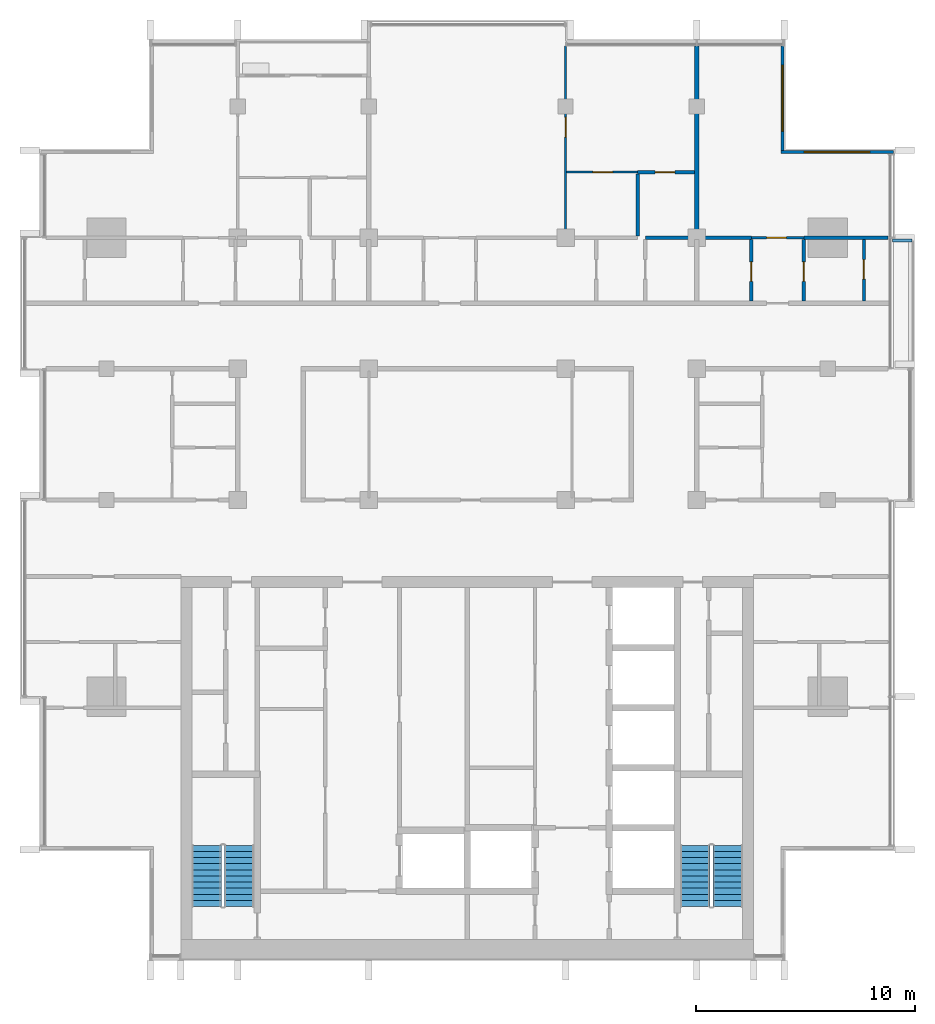
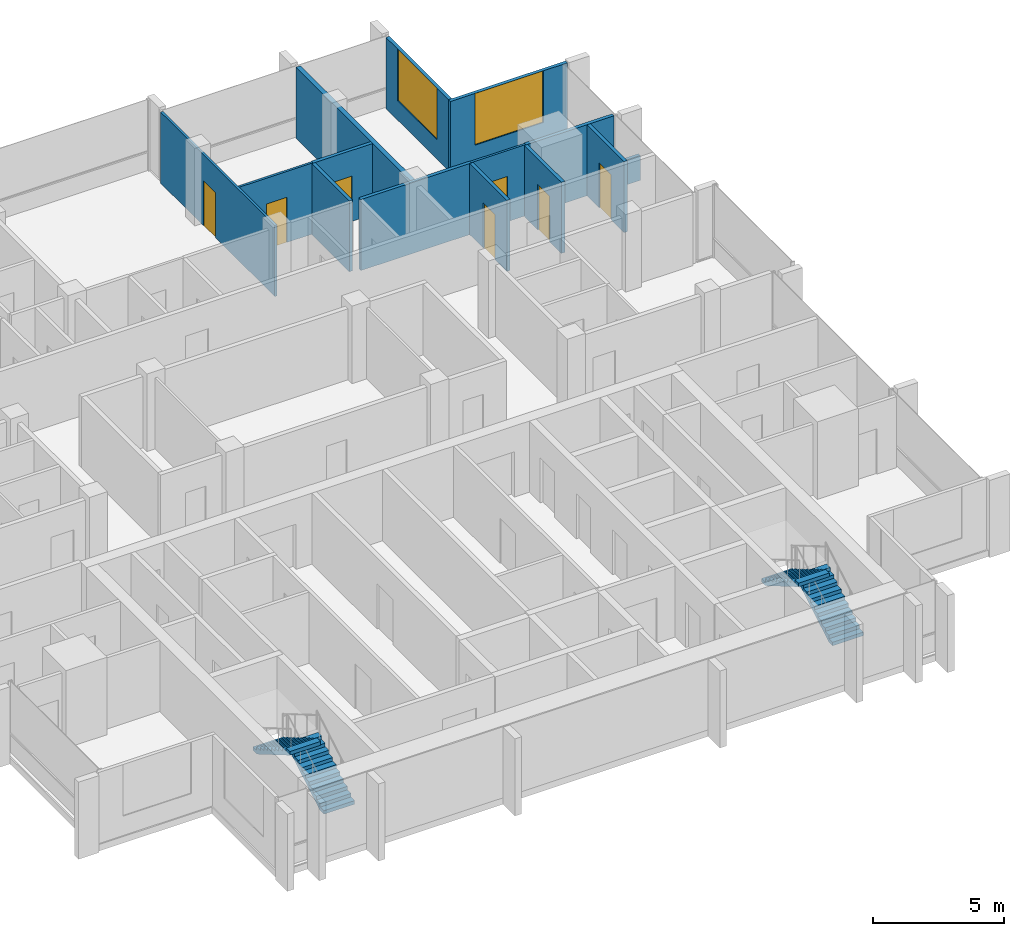
# One storey, part 11 of 16: 14 walls, 7 doors, 4 stair flights, 2 windows, 9 openings, 2 elements without a shape of their own.
"""IFC4 building model written with IfcOpenShell, lengths in metres."""

from ifc_helpers import new_model, si_unit, direction, frame, frame_2d, origin, place, context, subcontext, project, spatial, polyline, rectangle, outline, extrude, material, layer, layer_set, type_object, element, fill, aggregate, save


model = new_model("IFC4")

# Units and contexts
model_context = context("Model", 3, precision=1e-05, world=origin(), true_north=direction((0.0, 1.0)))
body_context = subcontext(model_context, "Body", "Model", "MODEL_VIEW")
ifc_project = project(units=[si_unit("LENGTHUNIT", "METRE"), si_unit("AREAUNIT", "SQUARE_METRE"), si_unit("VOLUMEUNIT", "CUBIC_METRE"), si_unit("PLANEANGLEUNIT", "RADIAN"), si_unit("MASSUNIT", "GRAM", prefix="KILO")], contexts=[model_context])

# Site, building, storey
site_placement = place(None, origin())
site = spatial("IfcSite", under=ifc_project, at=site_placement, CompositionType="ELEMENT")
building_placement = place(site_placement, origin())
building = spatial("IfcBuilding", under=site, at=building_placement, Name="Finial Court Residences", CompositionType="ELEMENT")
storey_placement = place(building_placement, frame((0.0, 0.0, 291.5)))
storey = spatial("IfcBuildingStorey", under=building, at=storey_placement, Name="L74", CompositionType="ELEMENT", Elevation=291.5)

# Wall
ifc_material_1 = material(Name="Gypsum board")
ifc_layer_1 = layer(ifc_material_1, 0.02490234375)
ifc_material_2 = material(Name="Acoustic mineral wool in double frame")
ifc_layer_2 = layer(ifc_material_2, 0.14990234375)
ifc_layer_3 = layer(ifc_material_1, 0.02490234375)
ifc_layer_set_1 = layer_set([ifc_layer_1, ifc_layer_2, ifc_layer_3], Name="Acoustic party wall 200, 1 hour")
wall_type_1 = type_object("IfcWallType", Name="Acoustic party wall 200, 1 hour", PredefinedType="PARTITIONING", material=ifc_layer_set_1)
wall_1_placement = place(storey_placement, frame((10.5, 7.574951171875, 0.0), z_axis=(0.0, 0.0, 1.0), x_axis=(0.0, 1.0, 0.0)))
element("IfcWall", 1, at=wall_1_placement, inside=storey, type_object=wall_type_1, Name="Partition L74-055", PredefinedType="PARTITIONING", context=body_context, shape_type="SweptSolid", body=[
    extrude(rectangle(XDim=8.6875, YDim=0.199951171875, at=frame_2d((4.34375, 0.0))), origin(), (0.0, 0.0, 1.0), 3.300048828125),
])

# Wall, opening, door
ifc_layer_4 = layer(ifc_material_1, 0.012451171875)
ifc_material_3 = material(Name="Mineral wool in light-gauge frame")
ifc_layer_5 = layer(ifc_material_3, 0.074951171875)
ifc_layer_6 = layer(ifc_material_1, 0.012451171875)
ifc_layer_set_2 = layer_set([ifc_layer_4, ifc_layer_5, ifc_layer_6], Name="Gypsum board partition 100")
wall_type_2 = type_object("IfcWallType", Name="Gypsum board partition 100", PredefinedType="PARTITIONING", material=ifc_layer_set_2)
wall_2_placement = place(storey_placement, frame((13.0, 7.5, 0.0), z_axis=(0.0, 0.0, 1.0), x_axis=(1.0, 0.0, 0.0)))
wall_2 = element("IfcWall", 2, at=wall_2_placement, inside=storey, type_object=wall_type_2, Name="Partition L74-019", PredefinedType="PARTITIONING", context=body_context, shape_type="SweptSolid", body=[
    extrude(rectangle(XDim=2.39990234375, YDim=0.10009765625, at=frame_2d((1.199951171875, 0.0))), origin(), (0.0, 0.0, 1.0), 3.300048828125),
])
opening_1_placement = place(wall_2_placement, frame((0.699951171875, 0.0, 0.0)))
opening_1 = element("IfcOpeningElement", 3, at=opening_1_placement, cuts=wall_2, Name="Opening L74-D021", PredefinedType="OPENING", context=body_context, shape_type="SweptSolid", body=[
    extrude(rectangle(XDim=0.89990234375, YDim=2.10009765625, at=frame_2d((0.449951171875, 1.050048828125))), frame((0.0, 0.06005859375, 0.0), z_axis=(0.0, -1.0, 0.0), x_axis=(1.0, 0.0, 0.0)), (0.0, 0.0, 1.0), 0.1201171875),
])
ifc_material_4 = material(Name="Timber door leaf in timber frame", Category="wood")
door_type = type_object("IfcDoorType", Name="Door set 900 x 2100", OperationType="SINGLE_SWING_LEFT", PredefinedType="DOOR", material=ifc_material_4)
door_1_placement = place(opening_1_placement, origin())
door_1 = element("IfcDoor", 4, at=door_1_placement, inside=storey, type_object=door_type, Name="Door L74-D021", OperationType="SINGLE_SWING_RIGHT", OverallHeight=2.10009765625, OverallWidth=0.89990234375, PredefinedType="DOOR", context=body_context, shape_type="SweptSolid", body=[
    extrude(rectangle(XDim=0.89990234375, YDim=2.10009765625, at=frame_2d((0.449951171875, 1.050048828125))), frame((0.0, 0.02490234375, 0.0), z_axis=(0.0, -1.0, 0.0), x_axis=(1.0, 0.0, 0.0)), (0.0, 0.0, 1.0), 0.050048828125),
])
fill(opening_1, door_1)

wall_3_placement = place(storey_placement, frame((4.550048828125, 10.5, 0.0), z_axis=(0.0, 0.0, 1.0), x_axis=(1.0, 0.0, 0.0)))
wall_3 = element("IfcWall", 5, at=wall_3_placement, inside=storey, type_object=wall_type_2, Name="Partition L74-028", PredefinedType="PARTITIONING", context=body_context, shape_type="SweptSolid", body=[
    extrude(rectangle(XDim=3.25, YDim=0.10009765625, at=frame_2d((1.625, 0.0))), origin(), (0.0, 0.0, 1.0), 3.300048828125),
])
opening_2_placement = place(wall_3_placement, frame((1.199951171875, 0.0, 0.0)))
opening_2 = element("IfcOpeningElement", 6, at=opening_2_placement, cuts=wall_3, Name="Opening L74-D024", PredefinedType="OPENING", context=body_context, shape_type="SweptSolid", body=[
    extrude(rectangle(XDim=0.89990234375, YDim=2.10009765625, at=frame_2d((0.449951171875, 1.050048828125))), frame((0.0, 0.06005859375, 0.0), z_axis=(0.0, -1.0, 0.0), x_axis=(1.0, 0.0, 0.0)), (0.0, 0.0, 1.0), 0.1201171875),
])
door_2_placement = place(opening_2_placement, origin())
door_2 = element("IfcDoor", 7, at=door_2_placement, inside=storey, type_object=door_type, Name="Door L74-D024", OperationType="SINGLE_SWING_LEFT", OverallHeight=2.10009765625, OverallWidth=0.89990234375, PredefinedType="DOOR", context=body_context, shape_type="SweptSolid", body=[
    extrude(rectangle(XDim=0.89990234375, YDim=2.10009765625, at=frame_2d((0.449951171875, 1.050048828125))), frame((0.0, 0.02490234375, 0.0), z_axis=(0.0, -1.0, 0.0), x_axis=(1.0, 0.0, 0.0)), (0.0, 0.0, 1.0), 0.050048828125),
])
fill(opening_2, door_2)

wall_4_placement = place(storey_placement, frame((4.5, 7.574951171875, 0.0), z_axis=(0.0, 0.0, 1.0), x_axis=(0.0, 1.0, 0.0)))
wall_4 = element("IfcWall", 8, at=wall_4_placement, inside=storey, type_object=wall_type_2, Name="Partition L74-047", PredefinedType="PARTITIONING", context=body_context, shape_type="SweptSolid", body=[
    extrude(rectangle(XDim=8.6875, YDim=0.10009765625, at=frame_2d((4.34375, 0.0))), origin(), (0.0, 0.0, 1.0), 3.300048828125),
])
opening_3_placement = place(wall_4_placement, frame((4.52490234375, 0.0, 0.0)))
opening_3 = element("IfcOpeningElement", 9, at=opening_3_placement, cuts=wall_4, Name="Opening L74-D036", PredefinedType="OPENING", context=body_context, shape_type="SweptSolid", body=[
    extrude(rectangle(XDim=0.89990234375, YDim=2.10009765625, at=frame_2d((0.449951171875, 1.050048828125))), frame((0.0, 0.06005859375, 0.0), z_axis=(0.0, -1.0, 0.0), x_axis=(1.0, 0.0, 0.0)), (0.0, 0.0, 1.0), 0.1201171875),
])
door_3_placement = place(opening_3_placement, origin())
door_3 = element("IfcDoor", 10, at=door_3_placement, inside=storey, type_object=door_type, Name="Door L74-D036", OperationType="SINGLE_SWING_RIGHT", OverallHeight=2.10009765625, OverallWidth=0.89990234375, PredefinedType="DOOR", context=body_context, shape_type="SweptSolid", body=[
    extrude(rectangle(XDim=0.89990234375, YDim=2.10009765625, at=frame_2d((0.449951171875, 1.050048828125))), frame((0.0, 0.02490234375, 0.0), z_axis=(0.0, -1.0, 0.0), x_axis=(1.0, 0.0, 0.0)), (0.0, 0.0, 1.0), 0.050048828125),
])
fill(opening_3, door_3)

# Walls
ifc_material_5 = material(Name="Moisture-resistant gypsum board")
ifc_layer_7 = layer(ifc_material_5, 0.012451171875)
ifc_layer_8 = layer(ifc_material_3, 0.125)
ifc_layer_9 = layer(ifc_material_5, 0.012451171875)
ifc_layer_set_3 = layer_set([ifc_layer_7, ifc_layer_8, ifc_layer_9], Name="Gypsum board wet-area partition 150")
wall_type_3 = type_object("IfcWallType", Name="Gypsum board wet-area partition 150", PredefinedType="PARTITIONING", material=ifc_layer_set_3)
wall_5_placement = place(storey_placement, frame((8.14990234375, 7.5, 0.0), z_axis=(0.0, 0.0, 1.0), x_axis=(1.0, 0.0, 0.0)))
element("IfcWall", 11, at=wall_5_placement, inside=storey, type_object=wall_type_3, Name="Partition L74-024", PredefinedType="PARTITIONING", context=body_context, shape_type="SweptSolid", body=[
    extrude(rectangle(XDim=4.85009765625, YDim=0.14990234375, at=frame_2d((2.425048828125, 0.0))), origin(), (0.0, 0.0, 1.0), 3.300048828125),
])
wall_6_placement = place(storey_placement, frame((15.39990234375, 7.5, 0.0), z_axis=(0.0, 0.0, 1.0), x_axis=(1.0, 0.0, 0.0)))
element("IfcWall", 12, at=wall_6_placement, inside=storey, type_object=wall_type_3, Name="Partition L74-025", PredefinedType="PARTITIONING", context=body_context, shape_type="SweptSolid", body=[
    extrude(rectangle(XDim=3.862548828125, YDim=0.14990234375, at=frame_2d((1.93115234375, 0.0))), origin(), (0.0, 0.0, 1.0), 3.300048828125),
])

# Wall, opening, door
wall_7_placement = place(storey_placement, frame((7.800048828125, 10.5, 0.0), z_axis=(0.0, 0.0, 1.0), x_axis=(1.0, 0.0, 0.0)))
wall_7 = element("IfcWall", 13, at=wall_7_placement, inside=storey, type_object=wall_type_3, Name="Partition L74-029", PredefinedType="PARTITIONING", context=body_context, shape_type="SweptSolid", body=[
    extrude(rectangle(XDim=2.599853515625, YDim=0.14990234375, at=frame_2d((1.2998046875, 0.0))), origin(), (0.0, 0.0, 1.0), 3.300048828125),
])
opening_4_placement = place(wall_7_placement, frame((0.800048828125, 0.0, 0.0)))
opening_4 = element("IfcOpeningElement", 14, at=opening_4_placement, cuts=wall_7, Name="Opening L74-D025", PredefinedType="OPENING", context=body_context, shape_type="SweptSolid", body=[
    extrude(rectangle(XDim=0.89990234375, YDim=2.10009765625, at=frame_2d((0.449951171875, 1.050048828125))), frame((0.0, 0.0849609375, 0.0), z_axis=(0.0, -1.0, 0.0), x_axis=(1.0, 0.0, 0.0)), (0.0, 0.0, 1.0), 0.169921875),
])
door_4_placement = place(opening_4_placement, origin())
door_4 = element("IfcDoor", 15, at=door_4_placement, inside=storey, type_object=door_type, Name="Door L74-D025", OperationType="SINGLE_SWING_RIGHT", OverallHeight=2.10009765625, OverallWidth=0.89990234375, PredefinedType="DOOR", context=body_context, shape_type="SweptSolid", body=[
    extrude(rectangle(XDim=0.89990234375, YDim=2.10009765625, at=frame_2d((0.449951171875, 1.050048828125))), frame((0.0, 0.02490234375, 0.0), z_axis=(0.0, -1.0, 0.0), x_axis=(1.0, 0.0, 0.0)), (0.0, 0.0, 1.0), 0.050048828125),
])
fill(opening_4, door_4)

# Wall
wall_8_placement = place(storey_placement, frame((7.800048828125, 7.574951171875, 0.0), z_axis=(0.0, 0.0, 1.0), x_axis=(0.0, 1.0, 0.0)))
element("IfcWall", 16, at=wall_8_placement, inside=storey, type_object=wall_type_3, Name="Partition L74-051", PredefinedType="PARTITIONING", context=body_context, shape_type="SweptSolid", body=[
    extrude(rectangle(XDim=2.85009765625, YDim=0.14990234375, at=frame_2d((1.425048828125, 0.0))), origin(), (0.0, 0.0, 1.0), 3.300048828125),
])

# Wall, opening, door
wall_9_placement = place(storey_placement, frame((13.0, 4.60009765625, 0.0), z_axis=(0.0, 0.0, 1.0), x_axis=(0.0, 1.0, 0.0)))
wall_9 = element("IfcWall", 17, at=wall_9_placement, inside=storey, type_object=wall_type_3, Name="Partition L74-056", PredefinedType="PARTITIONING", context=body_context, shape_type="SweptSolid", body=[
    extrude(rectangle(XDim=2.824951171875, YDim=0.14990234375, at=frame_2d((1.41259765625, 0.0))), origin(), (0.0, 0.0, 1.0), 3.300048828125),
])
opening_5_placement = place(wall_9_placement, frame((0.89990234375, 0.0, 0.0)))
opening_5 = element("IfcOpeningElement", 18, at=opening_5_placement, cuts=wall_9, Name="Opening L74-D039", PredefinedType="OPENING", context=body_context, shape_type="SweptSolid", body=[
    extrude(rectangle(XDim=0.89990234375, YDim=2.10009765625, at=frame_2d((0.449951171875, 1.050048828125))), frame((0.0, 0.0849609375, 0.0), z_axis=(0.0, -1.0, 0.0), x_axis=(1.0, 0.0, 0.0)), (0.0, 0.0, 1.0), 0.169921875),
])
door_5_placement = place(opening_5_placement, origin())
door_5 = element("IfcDoor", 19, at=door_5_placement, inside=storey, type_object=door_type, Name="Door L74-D039", OperationType="SINGLE_SWING_RIGHT", OverallHeight=2.10009765625, OverallWidth=0.89990234375, PredefinedType="DOOR", context=body_context, shape_type="SweptSolid", body=[
    extrude(rectangle(XDim=0.89990234375, YDim=2.10009765625, at=frame_2d((0.449951171875, 1.050048828125))), frame((0.0, 0.02490234375, 0.0), z_axis=(0.0, -1.0, 0.0), x_axis=(1.0, 0.0, 0.0)), (0.0, 0.0, 1.0), 0.050048828125),
])
fill(opening_5, door_5)

wall_10_placement = place(storey_placement, frame((15.39990234375, 4.60009765625, 0.0), z_axis=(0.0, 0.0, 1.0), x_axis=(0.0, 1.0, 0.0)))
wall_10 = element("IfcWall", 20, at=wall_10_placement, inside=storey, type_object=wall_type_3, Name="Partition L74-059", PredefinedType="PARTITIONING", context=body_context, shape_type="SweptSolid", body=[
    extrude(rectangle(XDim=2.824951171875, YDim=0.14990234375, at=frame_2d((1.41259765625, 0.0))), origin(), (0.0, 0.0, 1.0), 3.300048828125),
])
opening_6_placement = place(wall_10_placement, frame((0.89990234375, 0.0, 0.0)))
opening_6 = element("IfcOpeningElement", 21, at=opening_6_placement, cuts=wall_10, Name="Opening L74-D042", PredefinedType="OPENING", context=body_context, shape_type="SweptSolid", body=[
    extrude(rectangle(XDim=0.89990234375, YDim=2.10009765625, at=frame_2d((0.449951171875, 1.050048828125))), frame((0.0, 0.0849609375, 0.0), z_axis=(0.0, -1.0, 0.0), x_axis=(1.0, 0.0, 0.0)), (0.0, 0.0, 1.0), 0.169921875),
])
door_6_placement = place(opening_6_placement, origin())
door_6 = element("IfcDoor", 22, at=door_6_placement, inside=storey, type_object=door_type, Name="Door L74-D042", OperationType="SINGLE_SWING_RIGHT", OverallHeight=2.10009765625, OverallWidth=0.89990234375, PredefinedType="DOOR", context=body_context, shape_type="SweptSolid", body=[
    extrude(rectangle(XDim=0.89990234375, YDim=2.10009765625, at=frame_2d((0.449951171875, 1.050048828125))), frame((0.0, 0.02490234375, 0.0), z_axis=(0.0, -1.0, 0.0), x_axis=(1.0, 0.0, 0.0)), (0.0, 0.0, 1.0), 0.050048828125),
])
fill(opening_6, door_6)

wall_11_placement = place(storey_placement, frame((18.14990234375, 4.60009765625, 0.0), z_axis=(0.0, 0.0, 1.0), x_axis=(0.0, 1.0, 0.0)))
wall_11 = element("IfcWall", 23, at=wall_11_placement, inside=storey, type_object=wall_type_3, Name="Partition L74-061", PredefinedType="PARTITIONING", context=body_context, shape_type="SweptSolid", body=[
    extrude(rectangle(XDim=2.824951171875, YDim=0.14990234375, at=frame_2d((1.41259765625, 0.0))), origin(), (0.0, 0.0, 1.0), 3.300048828125),
])
opening_7_placement = place(wall_11_placement, frame((1.0, 0.0, 0.0)))
opening_7 = element("IfcOpeningElement", 24, at=opening_7_placement, cuts=wall_11, Name="Opening L74-D043", PredefinedType="OPENING", context=body_context, shape_type="SweptSolid", body=[
    extrude(rectangle(XDim=0.89990234375, YDim=2.10009765625, at=frame_2d((0.449951171875, 1.050048828125))), frame((0.0, 0.0849609375, 0.0), z_axis=(0.0, -1.0, 0.0), x_axis=(1.0, 0.0, 0.0)), (0.0, 0.0, 1.0), 0.169921875),
])
door_7_placement = place(opening_7_placement, origin())
door_7 = element("IfcDoor", 25, at=door_7_placement, inside=storey, type_object=door_type, Name="Door L74-D043", OperationType="SINGLE_SWING_RIGHT", OverallHeight=2.10009765625, OverallWidth=0.89990234375, PredefinedType="DOOR", context=body_context, shape_type="SweptSolid", body=[
    extrude(rectangle(XDim=0.89990234375, YDim=2.10009765625, at=frame_2d((0.449951171875, 1.050048828125))), frame((0.0, 0.02490234375, 0.0), z_axis=(0.0, -1.0, 0.0), x_axis=(1.0, 0.0, 0.0)), (0.0, 0.0, 1.0), 0.050048828125),
])
fill(opening_7, door_7)

# Wall
ifc_material_6 = material(Name="Concrete C35/45", Category="concrete")
ifc_layer_10 = layer(ifc_material_6, 0.14990234375)
ifc_layer_set_4 = layer_set([ifc_layer_10], Name="Ledge parapet, Concrete C35/45 150")
wall_type_4 = type_object("IfcWallType", Name="Ledge parapet, Concrete C35/45 150", PredefinedType="PARAPET", material=ifc_layer_set_4)
wall_12_placement = place(storey_placement, frame((19.447509765625, 7.375, 0.0), z_axis=(0.0, 0.0, 1.0), x_axis=(1.0, 0.0, 0.0)))
element("IfcWall", 26, at=wall_12_placement, inside=storey, type_object=wall_type_4, Name="E-L74-LED1-P1", PredefinedType="PARAPET", context=body_context, shape_type="SweptSolid", body=[
    extrude(rectangle(XDim=0.902587890625, YDim=0.14990234375, at=frame_2d((0.451171875, 0.0))), origin(), (0.0, 0.0, 1.0), 1.14990234375),
])

# Wall, opening, window
ifc_material_7 = material(Name="Natural limestone", Category="masonry")
ifc_layer_11 = layer(ifc_material_7, 0.14990234375)
ifc_layer_set_5 = layer_set([ifc_layer_11], Name="Limestone clad wall 150")
wall_type_5 = type_object("IfcWallType", Name="Limestone clad wall 150", PredefinedType="SOLIDWALL", material=ifc_layer_set_5)
wall_13_placement = place(storey_placement, frame((14.425048828125, 16.262451171875, 0.0), z_axis=(0.0, 0.0, 1.0), x_axis=(0.0, -1.0, 0.0)))
wall_13 = element("IfcWall", 27, at=wall_13_placement, inside=storey, type_object=wall_type_5, Name="E-L74-NWE20", PredefinedType="SOLIDWALL", context=body_context, shape_type="SweptSolid", body=[
    extrude(rectangle(XDim=4.762451171875, YDim=0.14990234375, at=frame_2d((2.38134765625, 0.0))), origin(), (0.0, 0.0, 1.0), 3.300048828125),
])
opening_8_placement = place(wall_13_placement, frame((0.881103515625, 0.0, 0.89990234375)))
opening_8 = element("IfcOpeningElement", 28, at=opening_8_placement, cuts=wall_13, Name="Opening WE74-07", PredefinedType="OPENING", context=body_context, shape_type="SweptSolid", body=[
    extrude(rectangle(XDim=3.0, YDim=2.39990234375, at=frame_2d((1.5, 1.199951171875))), frame((0.0, 0.0849609375, 0.0), z_axis=(0.0, -1.0, 0.0), x_axis=(1.0, 0.0, 0.0)), (0.0, 0.0, 1.0), 0.169921875),
])
ifc_material_8 = material(Name="Clear low-e glass", Category="glass")
window_type = type_object("IfcWindowType", Name="Corner window 3000 x 2400", PartitioningType="SINGLE_PANEL", PredefinedType="WINDOW", material=ifc_material_8)
window_1_placement = place(opening_8_placement, origin())
window_1 = element("IfcWindow", 29, at=window_1_placement, inside=storey, type_object=window_type, Name="E-L74-NWE20-W1", OverallHeight=2.39990234375, OverallWidth=3.0, PartitioningType="SINGLE_PANEL", PredefinedType="WINDOW", context=body_context, shape_type="SweptSolid", body=[
    extrude(rectangle(XDim=3.0, YDim=2.39990234375, at=frame_2d((1.5, 1.199951171875))), frame((0.0, 0.030029296875, 0.0), z_axis=(0.0, -1.0, 0.0), x_axis=(1.0, 0.0, 0.0)), (0.0, 0.0, 1.0), 0.06005859375),
])
fill(opening_8, window_1)

wall_14_placement = place(storey_placement, frame((14.35009765625, 11.425048828125, 0.0), z_axis=(0.0, 0.0, 1.0), x_axis=(1.0, 0.0, 0.0)))
wall_14 = element("IfcWall", 30, at=wall_14_placement, inside=storey, type_object=wall_type_5, Name="E-L74-NWN21", PredefinedType="SOLIDWALL", context=body_context, shape_type="SweptSolid", body=[
    extrude(rectangle(XDim=5.14990234375, YDim=0.14990234375, at=frame_2d((2.574951171875, 0.0))), origin(), (0.0, 0.0, 1.0), 3.300048828125),
])
opening_9_placement = place(wall_14_placement, frame((1.074951171875, 0.0, 0.89990234375)))
opening_9 = element("IfcOpeningElement", 31, at=opening_9_placement, cuts=wall_14, Name="Opening WE74-08", PredefinedType="OPENING", context=body_context, shape_type="SweptSolid", body=[
    extrude(rectangle(XDim=3.0, YDim=2.39990234375, at=frame_2d((1.5, 1.199951171875))), frame((0.0, 0.0849609375, 0.0), z_axis=(0.0, -1.0, 0.0), x_axis=(1.0, 0.0, 0.0)), (0.0, 0.0, 1.0), 0.169921875),
])
window_2_placement = place(opening_9_placement, origin())
window_2 = element("IfcWindow", 32, at=window_2_placement, inside=storey, type_object=window_type, Name="E-L74-NWN21-W1", OverallHeight=2.39990234375, OverallWidth=3.0, PartitioningType="SINGLE_PANEL", PredefinedType="WINDOW", context=body_context, shape_type="SweptSolid", body=[
    extrude(rectangle(XDim=3.0, YDim=2.39990234375, at=frame_2d((1.5, 1.199951171875))), frame((0.0, 0.030029296875, 0.0), z_axis=(0.0, -1.0, 0.0), x_axis=(1.0, 0.0, 0.0)), (0.0, 0.0, 1.0), 0.06005859375),
])
fill(opening_9, window_2)

# Stair, stair flights
ifc_material_9 = material(Name="Concrete C50/60", Category="concrete")
stair_type = type_object("IfcStairType", Name="Exit stair 22 risers of 163.6 mm", PredefinedType="HALF_TURN_STAIR", material=ifc_material_9)
stair_1_placement = place(storey_placement, origin())
stair_1 = element("IfcStair", 33, at=stair_1_placement, inside=storey, type_object=stair_type, Name="L74 Exit stair ST-1", PredefinedType="HALF_TURN_STAIR")
stair_flight_type = type_object("IfcStairFlightType", Name="Exit stair flight", PredefinedType="STRAIGHT", material=ifc_material_9)
stair_flight_1_placement = place(storey_placement, frame((-10.425048828125, -23.10009765625, 0.0), z_axis=(0.0, 0.0, 1.0), x_axis=(0.0, 1.0, 0.0)))
stair_flight_1 = element("IfcStairFlight", 34, at=stair_flight_1_placement, type_object=stair_flight_type, Name="ST-1 flight 1", NumberOfRisers=11, NumberOfTreads=10, PredefinedType="STRAIGHT", RiserHeight=0.163636364, TreadLength=0.28, context=body_context, shape_type="SweptSolid", body=[
    extrude(outline(polyline([(0.0, 0.0), (0.0, 0.16357421875), (0.280029296875, 0.16357421875), (0.280029296875, 0.327392578125), (0.56005859375, 0.327392578125), (0.56005859375, 0.490966796875), (0.840087890625, 0.490966796875), (0.840087890625, 0.654541015625), (1.1201171875, 0.654541015625), (1.1201171875, 0.818115234375), (1.39990234375, 0.818115234375), (1.39990234375, 0.98193359375), (1.679931640625, 0.98193359375), (1.679931640625, 1.1455078125), (1.9599609375, 1.1455078125), (1.9599609375, 1.30908203125), (2.239990234375, 1.30908203125), (2.239990234375, 1.47265625), (2.52001953125, 1.47265625), (2.52001953125, 1.636474609375), (2.800048828125, 1.636474609375), (2.800048828125, 1.800048828125), (2.800048828125, 1.462646484375), (0.297119140625, 0.0), (0.0, 0.0)])), frame((0.0, 0.675048828125, 0.0), z_axis=(0.0, -1.0, 0.0), x_axis=(1.0, 0.0, 0.0)), (0.0, 0.0, 1.0), 1.35009765625),
])
stair_flight_2_placement = place(storey_placement, frame((-11.925048828125, -20.300048828125, 1.800048828125), z_axis=(0.0, 0.0, 1.0), x_axis=(0.0, -1.0, 0.0)))
stair_flight_2 = element("IfcStairFlight", 35, at=stair_flight_2_placement, type_object=stair_flight_type, Name="ST-1 flight 2", NumberOfRisers=11, NumberOfTreads=10, PredefinedType="STRAIGHT", RiserHeight=0.163636364, TreadLength=0.28, context=body_context, shape_type="SweptSolid", body=[
    extrude(outline(polyline([(0.0, 0.0), (0.0, 0.16357421875), (0.280029296875, 0.16357421875), (0.280029296875, 0.327392578125), (0.56005859375, 0.327392578125), (0.56005859375, 0.490966796875), (0.840087890625, 0.490966796875), (0.840087890625, 0.654541015625), (1.1201171875, 0.654541015625), (1.1201171875, 0.818115234375), (1.39990234375, 0.818115234375), (1.39990234375, 0.98193359375), (1.679931640625, 0.98193359375), (1.679931640625, 1.1455078125), (1.9599609375, 1.1455078125), (1.9599609375, 1.30908203125), (2.239990234375, 1.30908203125), (2.239990234375, 1.47265625), (2.52001953125, 1.47265625), (2.52001953125, 1.636474609375), (2.800048828125, 1.636474609375), (2.800048828125, 1.800048828125), (2.800048828125, 1.462646484375), (0.297119140625, 0.0), (0.0, 0.0)])), frame((0.0, 0.675048828125, 0.0), z_axis=(0.0, -1.0, 0.0), x_axis=(1.0, 0.0, 0.0)), (0.0, 0.0, 1.0), 1.35009765625),
])
aggregate(stair_1, [stair_flight_1, stair_flight_2])

stair_2_placement = place(storey_placement, origin())
stair_2 = element("IfcStair", 36, at=stair_2_placement, inside=storey, type_object=stair_type, Name="L74 Exit stair ST-2", PredefinedType="HALF_TURN_STAIR")
stair_flight_3_placement = place(storey_placement, frame((11.925048828125, -23.10009765625, 0.0), z_axis=(0.0, 0.0, 1.0), x_axis=(0.0, 1.0, 0.0)))
stair_flight_3 = element("IfcStairFlight", 37, at=stair_flight_3_placement, type_object=stair_flight_type, Name="ST-2 flight 1", NumberOfRisers=11, NumberOfTreads=10, PredefinedType="STRAIGHT", RiserHeight=0.163636364, TreadLength=0.28, context=body_context, shape_type="SweptSolid", body=[
    extrude(outline(polyline([(0.0, 0.0), (0.0, 0.16357421875), (0.280029296875, 0.16357421875), (0.280029296875, 0.327392578125), (0.56005859375, 0.327392578125), (0.56005859375, 0.490966796875), (0.840087890625, 0.490966796875), (0.840087890625, 0.654541015625), (1.1201171875, 0.654541015625), (1.1201171875, 0.818115234375), (1.39990234375, 0.818115234375), (1.39990234375, 0.98193359375), (1.679931640625, 0.98193359375), (1.679931640625, 1.1455078125), (1.9599609375, 1.1455078125), (1.9599609375, 1.30908203125), (2.239990234375, 1.30908203125), (2.239990234375, 1.47265625), (2.52001953125, 1.47265625), (2.52001953125, 1.636474609375), (2.800048828125, 1.636474609375), (2.800048828125, 1.800048828125), (2.800048828125, 1.462646484375), (0.297119140625, 0.0), (0.0, 0.0)])), frame((0.0, 0.675048828125, 0.0), z_axis=(0.0, -1.0, 0.0), x_axis=(1.0, 0.0, 0.0)), (0.0, 0.0, 1.0), 1.35009765625),
])
stair_flight_4_placement = place(storey_placement, frame((10.425048828125, -20.300048828125, 1.800048828125), z_axis=(0.0, 0.0, 1.0), x_axis=(0.0, -1.0, 0.0)))
stair_flight_4 = element("IfcStairFlight", 38, at=stair_flight_4_placement, type_object=stair_flight_type, Name="ST-2 flight 2", NumberOfRisers=11, NumberOfTreads=10, PredefinedType="STRAIGHT", RiserHeight=0.163636364, TreadLength=0.28, context=body_context, shape_type="SweptSolid", body=[
    extrude(outline(polyline([(0.0, 0.0), (0.0, 0.16357421875), (0.280029296875, 0.16357421875), (0.280029296875, 0.327392578125), (0.56005859375, 0.327392578125), (0.56005859375, 0.490966796875), (0.840087890625, 0.490966796875), (0.840087890625, 0.654541015625), (1.1201171875, 0.654541015625), (1.1201171875, 0.818115234375), (1.39990234375, 0.818115234375), (1.39990234375, 0.98193359375), (1.679931640625, 0.98193359375), (1.679931640625, 1.1455078125), (1.9599609375, 1.1455078125), (1.9599609375, 1.30908203125), (2.239990234375, 1.30908203125), (2.239990234375, 1.47265625), (2.52001953125, 1.47265625), (2.52001953125, 1.636474609375), (2.800048828125, 1.636474609375), (2.800048828125, 1.800048828125), (2.800048828125, 1.462646484375), (0.297119140625, 0.0), (0.0, 0.0)])), frame((0.0, 0.675048828125, 0.0), z_axis=(0.0, -1.0, 0.0), x_axis=(1.0, 0.0, 0.0)), (0.0, 0.0, 1.0), 1.35009765625),
])
aggregate(stair_2, [stair_flight_3, stair_flight_4])

save(model, "model.ifc")
